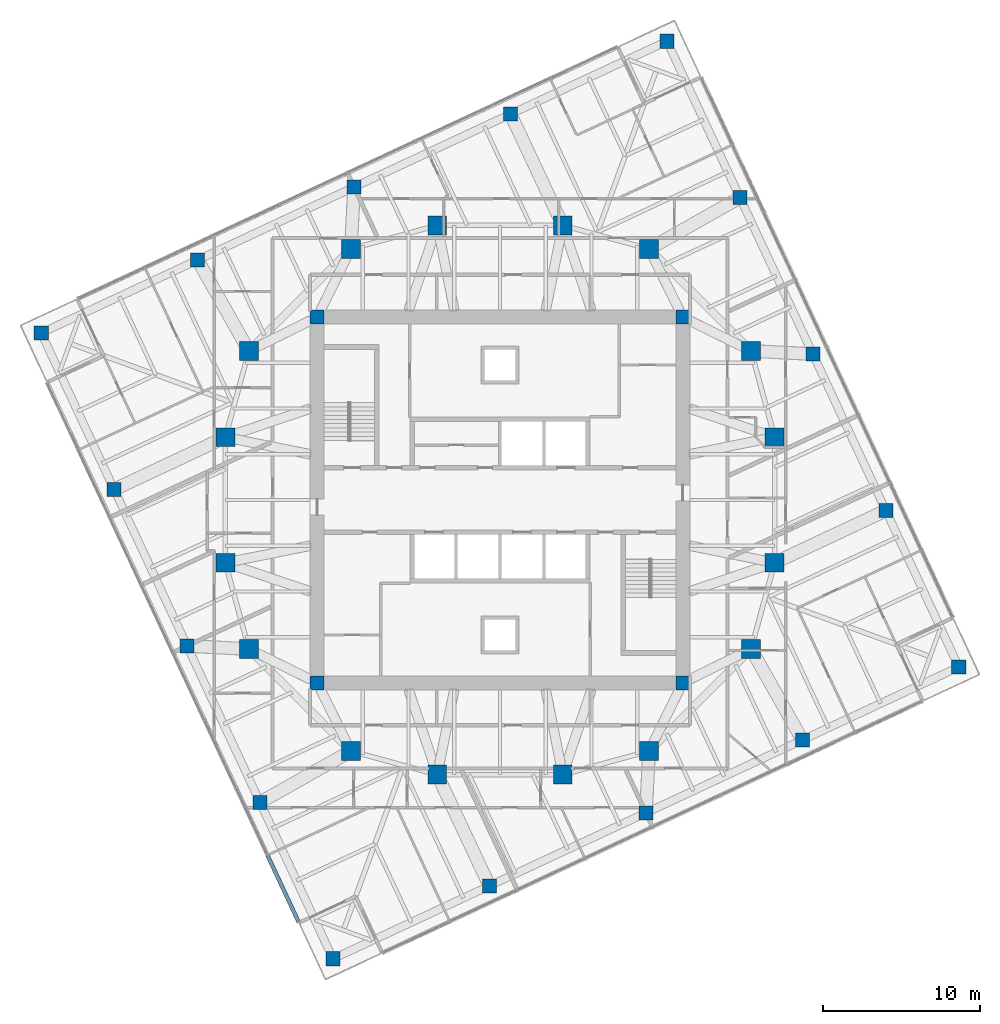
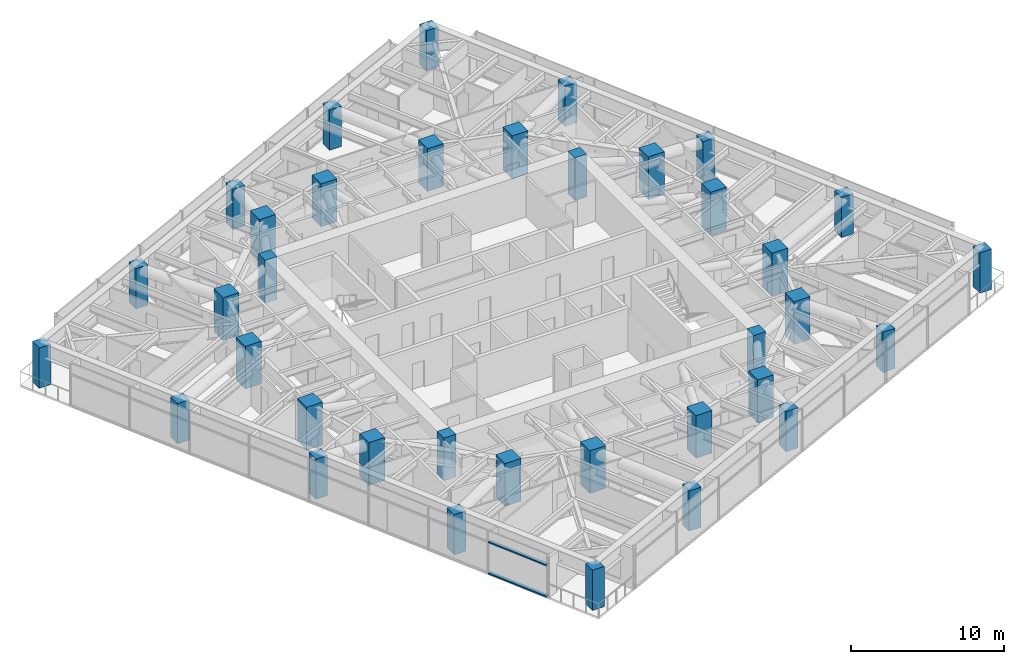
# One storey, part 1 of 16: 36 columns, 2 members, 1 element without a shape of its own.
"""IFC4 building model written with IfcOpenShell, lengths in metres."""

from ifc_helpers import new_model, si_unit, direction, frame, origin, origin_2d, place, context, subcontext, project, spatial, rectangle, extrude, material, material_profile, profile_set, type_object, element, aggregate, save


model = new_model("IFC4")

# Units and contexts
model_context = context("Model", 3, precision=1e-05, world=origin(), true_north=direction((0.0, 1.0)))
body_context = subcontext(model_context, "Body", "Model", "MODEL_VIEW")
ifc_project = project(units=[si_unit("LENGTHUNIT", "METRE"), si_unit("AREAUNIT", "SQUARE_METRE"), si_unit("VOLUMEUNIT", "CUBIC_METRE"), si_unit("PLANEANGLEUNIT", "RADIAN"), si_unit("MASSUNIT", "GRAM", prefix="KILO")], contexts=[model_context])

# Site, building, storey
site_placement = place(None, origin())
site = spatial("IfcSite", under=ifc_project, at=site_placement, CompositionType="ELEMENT")
building_placement = place(site_placement, origin())
building = spatial("IfcBuilding", under=site, at=building_placement, Name="Torsade Residences", CompositionType="ELEMENT")
storey_placement = place(building_placement, frame((0.0, 0.0, 199.800048828125)))
storey = spatial("IfcBuildingStorey", under=building, at=storey_placement, Name="L55", CompositionType="ELEMENT", Elevation=199.800048828125)

# Columns
ifc_material_1 = material(Name="Concrete 80 MPa", Category="concrete")
ifc_material_profile_1 = material_profile(ifc_material_1, rectangle(XDim=0.89990234375, YDim=0.89990234375, at=origin_2d()), Name="RC 900x900")
ifc_profile_set_1 = profile_set([ifc_material_profile_1], Name="Concrete 80 MPa")
column_type_1 = type_object("IfcColumnType", Name="CORE CORNER COLUMN RC 900x900", PredefinedType="COLUMN", material=ifc_profile_set_1)
for number, where, z_axis, x_axis, name in (
    (1, (28.35009765625, 18.35009765625, 0.0), (0.0, 0.0, 1.0), (1.0, 0.0, 0.0), "Core corner column CC1 L55"),
    (2, (51.64990234375, 18.35009765625, 0.0), (0.0, 0.0, 1.0), (1.0, 0.0, 0.0), "Core corner column CC2 L55"),
    (3, (51.64990234375, 41.64990234375, 0.0), (0.0, 0.0, 1.0), (1.0, 0.0, 0.0), "Core corner column CC3 L55"),
    (4, (28.35009765625, 41.64990234375, 0.0), (0.0, 0.0, 1.0), (1.0, 0.0, 0.0), "Core corner column CC4 L55"),
):
    element("IfcColumn", number, at=place(storey_placement, frame(where, z_axis=z_axis, x_axis=x_axis)), inside=storey, type_object=column_type_1, Name=name, PredefinedType="COLUMN", context=body_context, shape_type="SweptSolid", body=[
        extrude(rectangle(XDim=0.89990234375, YDim=0.89990234375, at=origin_2d()), origin(), (0.0, 0.0, 1.0), 3.39990234375),
    ])
ifc_material_2 = material(Name="Concrete 80 MPa", Category="concrete")
ifc_material_profile_2 = material_profile(ifc_material_2, rectangle(XDim=1.199951171875, YDim=1.199951171875, at=origin_2d()), Name="RC 1200x1200")
ifc_profile_set_2 = profile_set([ifc_material_profile_2], Name="Concrete 80 MPa")
column_type_2 = type_object("IfcColumnType", Name="INNER RING COLUMN RC 1200x1200", PredefinedType="COLUMN", material=ifc_profile_set_2)
for number, where, z_axis, x_axis, name in (
    (5, (57.5, 26.0, 0.0), (0.0, 0.0, 1.0), (1.0, 0.0, 0.0), "Inner ring column IR01 L55"),
    (6, (57.5, 34.0, 0.0), (0.0, 0.0, 1.0), (1.0, 0.0, 0.0), "Inner ring column IR02 L55"),
    (7, (56.0, 39.5, 0.0), (0.0, 0.0, 1.0), (1.0, 0.0, 0.0), "Inner ring column IR03 L55"),
    (8, (49.5, 46.0, 0.0), (0.0, 0.0, 1.0), (1.0, 0.0, 0.0), "Inner ring column IR04 L55"),
    (9, (44.0, 47.5, 0.0), (0.0, 0.0, 1.0), (1.0, 0.0, 0.0), "Inner ring column IR05 L55"),
    (10, (36.0, 47.5, 0.0), (0.0, 0.0, 1.0), (1.0, 0.0, 0.0), "Inner ring column IR06 L55"),
    (11, (30.5, 46.0, 0.0), (0.0, 0.0, 1.0), (1.0, 0.0, 0.0), "Inner ring column IR07 L55"),
    (12, (24.0, 39.5, 0.0), (0.0, 0.0, 1.0), (1.0, 0.0, 0.0), "Inner ring column IR08 L55"),
    (13, (22.5, 34.0, 0.0), (0.0, 0.0, 1.0), (1.0, 0.0, 0.0), "Inner ring column IR09 L55"),
    (14, (22.5, 26.0, 0.0), (0.0, 0.0, 1.0), (1.0, 0.0, 0.0), "Inner ring column IR10 L55"),
    (15, (24.0, 20.5, 0.0), (0.0, 0.0, 1.0), (1.0, 0.0, 0.0), "Inner ring column IR11 L55"),
    (16, (30.5, 14.0, 0.0), (0.0, 0.0, 1.0), (1.0, 0.0, 0.0), "Inner ring column IR12 L55"),
    (17, (36.0, 12.5, 0.0), (0.0, 0.0, 1.0), (1.0, 0.0, 0.0), "Inner ring column IR13 L55"),
    (18, (44.0, 12.5, 0.0), (0.0, 0.0, 1.0), (1.0, 0.0, 0.0), "Inner ring column IR14 L55"),
    (19, (49.5, 14.0, 0.0), (0.0, 0.0, 1.0), (1.0, 0.0, 0.0), "Inner ring column IR15 L55"),
    (20, (56.0, 20.5, 0.0), (0.0, 0.0, 1.0), (1.0, 0.0, 0.0), "Inner ring column IR16 L55"),
):
    element("IfcColumn", number, at=place(storey_placement, frame(where, z_axis=z_axis, x_axis=x_axis)), inside=storey, type_object=column_type_2, Name=name, PredefinedType="COLUMN", context=body_context, shape_type="SweptSolid", body=[
        extrude(rectangle(XDim=1.199951171875, YDim=1.199951171875, at=origin_2d()), origin(), (0.0, 0.0, 1.0), 3.39990234375),
    ])
ifc_material_3 = material(Name="Concrete 80 MPa", Category="concrete")
ifc_material_profile_3 = material_profile(ifc_material_3, rectangle(XDim=0.89990234375, YDim=0.89990234375, at=origin_2d()), Name="RC 900x900")
ifc_profile_set_3 = profile_set([ifc_material_profile_3], Name="Concrete 80 MPa")
column_type_3 = type_object("IfcColumnType", Name="TOWER COLUMN RC 900x900", PredefinedType="COLUMN", material=ifc_profile_set_3)
for number, where, z_axis, x_axis, name in (
    (21, (29.35888671875, 0.763671875, 0.0), (0.0, 0.0, 1.0), (1.0, 0.0, 0.0), "Column TC6-01 L55"),
    (22, (39.328125, 5.412353515625, 0.0), (0.0, 0.0, 1.0), (1.0, 0.0, 0.0), "Column TC6-02 L55"),
    (23, (49.297607421875, 10.061279296875, 0.0), (0.0, 0.0, 1.0), (1.0, 0.0, 0.0), "Column TC6-03 L55"),
    (24, (59.26708984375, 14.7099609375, 0.0), (0.0, 0.0, 1.0), (1.0, 0.0, 0.0), "Column TC6-04 L55"),
    (25, (69.236328125, 19.35888671875, 0.0), (0.0, 0.0, 1.0), (1.0, 0.0, 0.0), "Column TC6-05 L55"),
    (26, (64.587646484375, 29.328125, 0.0), (0.0, 0.0, 1.0), (1.0, 0.0, 0.0), "Column TC6-06 L55"),
    (27, (59.938720703125, 39.297607421875, 0.0), (0.0, 0.0, 1.0), (1.0, 0.0, 0.0), "Column TC6-07 L55"),
    (28, (55.2900390625, 49.26708984375, 0.0), (0.0, 0.0, 1.0), (1.0, 0.0, 0.0), "Column TC6-08 L55"),
    (29, (50.64111328125, 59.236328125, 0.0), (0.0, 0.0, 1.0), (1.0, 0.0, 0.0), "Column TC6-09 L55"),
    (30, (40.671875, 54.587646484375, 0.0), (0.0, 0.0, 1.0), (1.0, 0.0, 0.0), "Column TC6-10 L55"),
    (31, (30.702392578125, 49.938720703125, 0.0), (0.0, 0.0, 1.0), (1.0, 0.0, 0.0), "Column TC6-11 L55"),
    (32, (20.73291015625, 45.2900390625, 0.0), (0.0, 0.0, 1.0), (1.0, 0.0, 0.0), "Column TC6-12 L55"),
    (33, (10.763671875, 40.64111328125, 0.0), (0.0, 0.0, 1.0), (1.0, 0.0, 0.0), "Column TC6-13 L55"),
    (34, (15.412353515625, 30.671875, 0.0), (0.0, 0.0, 1.0), (1.0, 0.0, 0.0), "Column TC6-14 L55"),
    (35, (20.061279296875, 20.702392578125, 0.0), (0.0, 0.0, 1.0), (1.0, 0.0, 0.0), "Column TC6-15 L55"),
    (36, (24.7099609375, 10.73291015625, 0.0), (0.0, 0.0, 1.0), (1.0, 0.0, 0.0), "Column TC6-16 L55"),
):
    element("IfcColumn", number, at=place(storey_placement, frame(where, z_axis=z_axis, x_axis=x_axis)), inside=storey, type_object=column_type_3, Name=name, PredefinedType="COLUMN", context=body_context, shape_type="SweptSolid", body=[
        extrude(rectangle(XDim=0.89990234375, YDim=0.89990234375, at=origin_2d()), origin(), (0.0, 0.0, 1.0), 3.199951171875),
    ])

# Curtain wall, members
ifc_material_4 = material(Name="Aluminium and glass", Category="aluminium")
curtain_wall_type = type_object("IfcCurtainWallType", Name="FRITTED GLASS CURTAIN WALL MID ZONE", PredefinedType="NOTDEFINED", material=ifc_material_4)
curtain_wall_placement = place(storey_placement, origin())
curtain_wall = element("IfcCurtainWall", 37, at=curtain_wall_placement, inside=storey, type_object=curtain_wall_type, Name="Curtain wall L55 face 10", PredefinedType="NOTDEFINED")
ifc_material_5 = material(Name="Aluminium transom", Category="aluminium")
ifc_material_profile_4 = material_profile(ifc_material_5, rectangle(XDim=0.25, YDim=0.110107421875, at=origin_2d()), Name="MID ZONE CURTAIN WALL TRANSOM 250x110")
ifc_profile_set_4 = profile_set([ifc_material_profile_4], Name="Aluminium transom")
member_type = type_object("IfcMemberType", Name="MID ZONE CURTAIN WALL TRANSOM 250x110", PredefinedType="USERDEFINED", material=ifc_profile_set_4)
member_1_placement = place(storey_placement, frame((25.194091796875, 7.32861328125, 0.054931640625), z_axis=(0.422622764878, -0.906305687176, 0.0), x_axis=(0.906305687176, 0.422622764878, 0.0)))
member_1 = element("IfcMember", 38, at=member_1_placement, type_object=member_type, Name="Transom 8.1", ObjectType="TRANSOM", PredefinedType="USERDEFINED", context=body_context, shape_type="SweptSolid", body=[
    extrude(rectangle(XDim=0.25, YDim=0.110107421875, at=origin_2d()), origin(), (0.0, 0.0, 1.0), 4.630126953125),
])
member_2_placement = place(storey_placement, frame((25.194091796875, 7.32861328125, 2.554931640625), z_axis=(0.422622764878, -0.906305687176, 0.0), x_axis=(0.906305687176, 0.422622764878, 0.0)))
member_2 = element("IfcMember", 39, at=member_2_placement, type_object=member_type, Name="Transom 8.2", ObjectType="TRANSOM", PredefinedType="USERDEFINED", context=body_context, shape_type="SweptSolid", body=[
    extrude(rectangle(XDim=0.25, YDim=0.110107421875, at=origin_2d()), origin(), (0.0, 0.0, 1.0), 4.630126953125),
])
aggregate(curtain_wall, [member_1, member_2])

save(model, "model.ifc")
